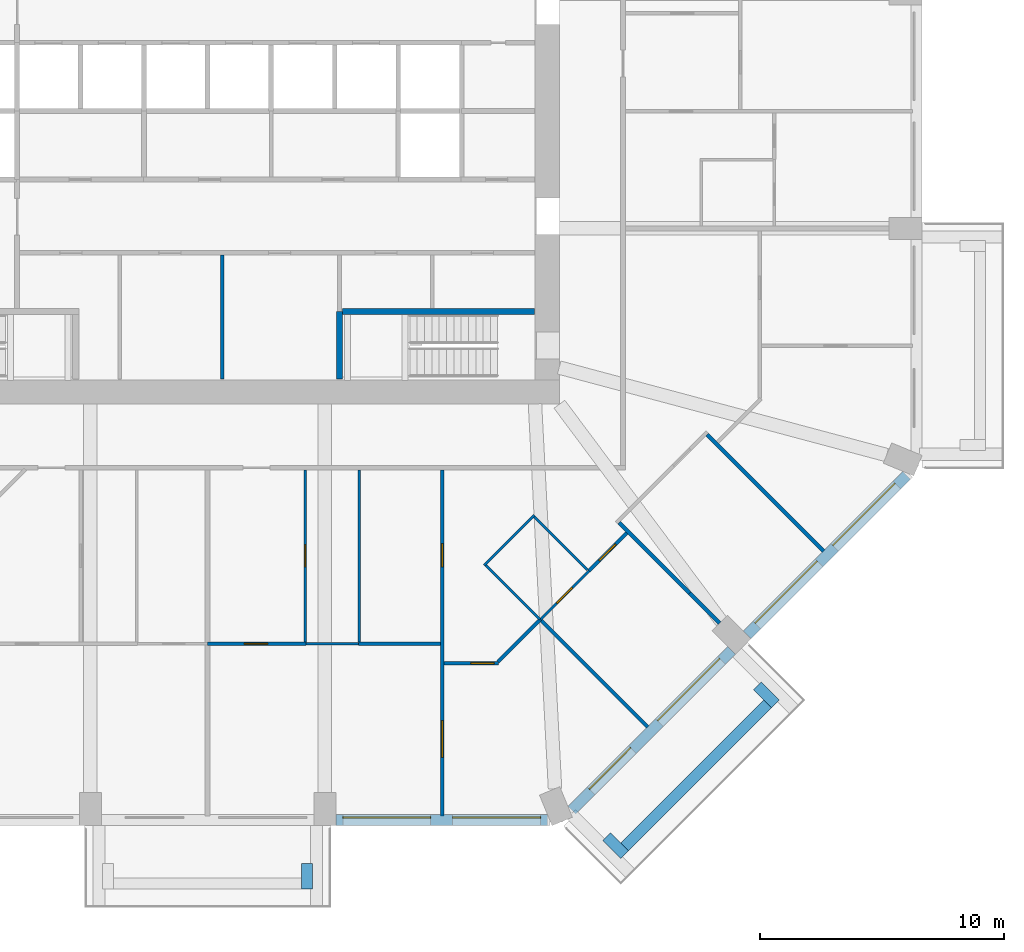
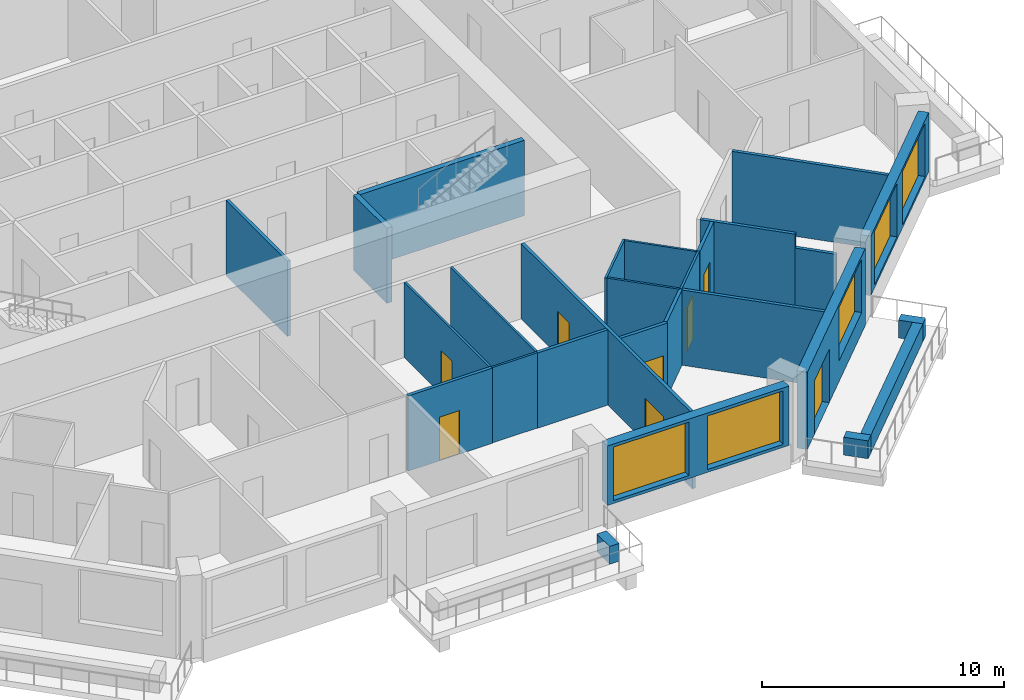
# One storey, part 5 of 13: 27 walls, 8 doors, 5 windows, 13 openings.
"""IFC4 building model written with IfcOpenShell, lengths in metres."""

import ifcopenshell
import ifcopenshell.guid

model = None  # the IFC model being written
_history = None  # IfcOwnerHistory: only IFC2X3 demands one
_inside = {}  # id of a spatial element -> (the spatial element, [elements in it])
_under = {}  # id of a project, library or spatial element -> (it, [spatial elements below it])
_declared = {}  # id of a project -> (the project, [libraries it declares])
_typed = {}  # id of a type object -> (the type object, [elements of that type])
_made_of = {}  # id of a material, layer set ... -> (it, [elements and type objects made of it])


def new_model(schema):
    """Start an empty IFC model of exactly this schema.

    Asked for "IFC4X3", IfcOpenShell would pick the latest addendum, in which some entities
    have other attributes; the version numbers below select the first issue.
    IFC2X3 requires an IfcOwnerHistory on every rooted entity: one is made here for all.
    """
    global model, _history
    if schema == "IFC4X3":
        model = ifcopenshell.file(schema_version=(4, 3, 0, 0))
    else:
        model = ifcopenshell.file(schema=schema)
    _inside.clear()
    _under.clear()
    _declared.clear()
    _typed.clear()
    _made_of.clear()
    _history = None
    if model.schema == "IFC2X3":
        org = make("IfcOrganization", Name="unknown")
        user = make(
            "IfcPersonAndOrganization",
            ThePerson=make("IfcPerson", FamilyName="unknown"),
            TheOrganization=org,
        )
        app = make(
            "IfcApplication",
            ApplicationDeveloper=org,
            Version="unknown",
            ApplicationFullName="unknown",
            ApplicationIdentifier="unknown",
        )
        _history = make(
            "IfcOwnerHistory",
            OwningUser=user,
            OwningApplication=app,
            ChangeAction="ADDED",
            CreationDate=0,
        )
    return model


def make(cls, **values):
    """One entity of the class cls with the attributes given. An attribute that is None is left unset."""
    return model.create_entity(
        cls, **{name: value for name, value in values.items() if value is not None}
    )


def rooted(cls, **values):
    """An entity with a GlobalId (a new one), such as an element, a storey or a relation."""
    return make(cls, GlobalId=ifcopenshell.guid.new(), OwnerHistory=_history, **values)


def si_unit(unit_type, name, prefix=None):
    """IfcSIUnit, for example si_unit("LENGTHUNIT", "METRE", prefix="MILLI")."""
    return make("IfcSIUnit", UnitType=unit_type, Prefix=prefix, Name=name)


def assignment(units):
    """IfcUnitAssignment: the units of a project."""
    return None if units is None else make("IfcUnitAssignment", Units=units)


def point(xyz):
    """IfcCartesianPoint."""
    return None if xyz is None else make("IfcCartesianPoint", Coordinates=xyz)


def direction(xyz):
    """IfcDirection."""
    return None if xyz is None else make("IfcDirection", DirectionRatios=xyz)


def frame(location, z_axis=None, x_axis=None):
    """IfcAxis2Placement3D, a coordinate frame: its origin and axes. An axis left out is left unset."""
    return make(
        "IfcAxis2Placement3D",
        Location=point(location),
        Axis=direction(z_axis),
        RefDirection=direction(x_axis),
    )


def frame_2d(location, x_axis=None):
    """IfcAxis2Placement2D, a coordinate frame in the plane: its origin and x axis."""
    return make(
        "IfcAxis2Placement2D", Location=point(location), RefDirection=direction(x_axis)
    )


def origin():
    """The frame at (0, 0, 0) with its axes left unset."""
    return frame((0.0, 0.0, 0.0))


def place(relative_to, where):
    """IfcLocalPlacement: puts the frame where relative to a parent placement (None: the world)."""
    return make(
        "IfcLocalPlacement", PlacementRelTo=relative_to, RelativePlacement=where
    )


def context(
    kind, dimensions, precision=None, world=None, true_north=None, identifier=None
):
    """IfcGeometricRepresentationContext, for example the 3D "Model" context."""
    return make(
        "IfcGeometricRepresentationContext",
        ContextIdentifier=identifier,
        ContextType=kind,
        CoordinateSpaceDimension=dimensions,
        Precision=precision,
        WorldCoordinateSystem=world,
        TrueNorth=true_north,
    )


def subcontext(parent, identifier, kind, view, scale=None):
    """IfcGeometricRepresentationSubContext, for example "Body" below "Model"."""
    return make(
        "IfcGeometricRepresentationSubContext",
        ContextIdentifier=identifier,
        ContextType=kind,
        ParentContext=parent,
        TargetScale=scale,
        TargetView=view,
    )


def project(units=None, contexts=None):
    """IfcProject with its units and contexts."""
    return rooted(
        "IfcProject",
        Name="project",
        RepresentationContexts=contexts,
        UnitsInContext=assignment(units),
    )


def spatial(cls, under=None, at=None, **own):
    """A site, building, storey or space (cls), placed at a placement, below another one or the project."""
    s = rooted(cls, ObjectPlacement=at, **own)
    if under is not None:
        _under.setdefault(under.id(), (under, []))[1].append(s)
    return s


def profile(cls, at=None, kind="AREA", **sizes):
    """A parametric profile (cls). Its sizes go by their IFC names, for example OverallWidth=200.0."""
    return make(cls, ProfileType=kind, Position=at, **sizes)


def rectangle(**sizes):
    """IfcRectangleProfileDef."""
    return profile("IfcRectangleProfileDef", **sizes)


def extrude(swept, where, along, depth):
    """IfcExtrudedAreaSolid: the profile swept, set in the frame where, extruded along a direction by depth."""
    return make(
        "IfcExtrudedAreaSolid",
        SweptArea=swept,
        Position=where,
        ExtrudedDirection=direction(along),
        Depth=depth,
    )


def shape(context_of_items, identifier, shape_type, items):
    """IfcShapeRepresentation: the items that make up one representation, for example the "Body"."""
    return make(
        "IfcShapeRepresentation",
        ContextOfItems=context_of_items,
        RepresentationIdentifier=identifier,
        RepresentationType=shape_type,
        Items=items,
    )


def material(Name=None, Category=None):
    """IfcMaterial."""
    return make("IfcMaterial", Name=Name, Category=Category)


def layer(
    of_material, thickness, ventilated=None, Name=None, Category=None, Priority=None
):
    """IfcMaterialLayer: one layer of a wall or slab, of a material (None: an air gap)."""
    return make(
        "IfcMaterialLayer",
        Material=of_material,
        LayerThickness=thickness,
        IsVentilated=ventilated,
        Name=Name,
        Category=Category,
        Priority=Priority,
    )


def layer_set(layers, Name=None):
    """IfcMaterialLayerSet."""
    return make("IfcMaterialLayerSet", MaterialLayers=layers, LayerSetName=Name)


def made_of(thing, what):
    """Note that an element or type object is made of a material, layer set ...; save() writes the relation."""
    if what is not None:
        _made_of.setdefault(what.id(), (what, []))[1].append(thing)
    return thing


def type_object(cls, material=None, **own):
    """A type object (cls), such as IfcWallType, which elements share."""
    return made_of(rooted(cls, **own), material)


def element(
    cls,
    number,
    at=None,
    inside=None,
    cuts=None,
    type_object=None,
    material=None,
    context=None,
    identifier="Body",
    shape_type=None,
    held_by="IfcProductDefinitionShape",
    body=None,
    shapes=None,
    **own,
):
    """One element of the class cls, such as IfcWall. Its Tag is "e" and its number.

    at: its placement. inside: the storey or other place that contains it. cuts: it is an
    opening in that element (IfcRelVoidsElement). A single representation is given by context,
    identifier, shape_type and body (its items); several are given by shapes. held_by: the class
    of the entity that holds the representations. save() writes the other relations.
    """
    e = rooted(cls, Tag="e%d" % number, ObjectPlacement=at, **own)
    if body is not None:
        shapes = [shape(context, identifier, shape_type, body)]
    if shapes is not None:
        e.Representation = make(held_by, Representations=shapes)
    if inside is not None:
        _inside.setdefault(inside.id(), (inside, []))[1].append(e)
    if cuts is not None:
        rooted(
            "IfcRelVoidsElement", RelatingBuildingElement=cuts, RelatedOpeningElement=e
        )
    if type_object is not None:
        _typed.setdefault(type_object.id(), (type_object, []))[1].append(e)
    return made_of(e, material)


def fill(opening, filler):
    """IfcRelFillsElement: the door or window that sits in an opening."""
    return rooted(
        "IfcRelFillsElement",
        RelatingOpeningElement=opening,
        RelatedBuildingElement=filler,
    )


def aggregate(whole, parts):
    """IfcRelAggregates: a whole, such as a stair, and the parts it consists of."""
    return rooted("IfcRelAggregates", RelatingObject=whole, RelatedObjects=parts)


def save(model, path):
    """Write the relations noted so far, then the file.

    IfcRelAggregates (storeys below a building ...), IfcRelContainedInSpatialStructure (elements
    in a storey), IfcRelDefinesByType, IfcRelAssociatesMaterial and IfcRelDeclares: one each for
    every whole, place, type object, material and project.
    """
    for whole, parts in _under.values():
        aggregate(whole, parts)
    for where, things in _inside.values():
        rooted(
            "IfcRelContainedInSpatialStructure",
            RelatedElements=things,
            RelatingStructure=where,
        )
    for kind, things in _typed.values():
        rooted("IfcRelDefinesByType", RelatedObjects=things, RelatingType=kind)
    for what, things in _made_of.values():
        rooted("IfcRelAssociatesMaterial", RelatedObjects=things, RelatingMaterial=what)
    for by, libraries in _declared.values():
        rooted("IfcRelDeclares", RelatingContext=by, RelatedDefinitions=libraries)
    model.write(path)


model = new_model("IFC4")

# Units and contexts
model_context = context("Model", 3, precision=1e-05, world=origin(), true_north=direction((0.0, 1.0)))
body_context = subcontext(model_context, "Body", "Model", "MODEL_VIEW")
ifc_project = project(units=[si_unit("LENGTHUNIT", "METRE"), si_unit("AREAUNIT", "SQUARE_METRE"), si_unit("VOLUMEUNIT", "CUBIC_METRE"), si_unit("PLANEANGLEUNIT", "RADIAN"), si_unit("MASSUNIT", "GRAM", prefix="KILO")], contexts=[model_context])

# Site, building, storey
site_placement = place(None, origin())
site = spatial("IfcSite", under=ifc_project, at=site_placement, CompositionType="ELEMENT")
building_placement = place(site_placement, origin())
building = spatial("IfcBuilding", under=site, at=building_placement, Name="Msitu Wima Residences", CompositionType="ELEMENT")
storey_placement = place(building_placement, frame((0.0, 0.0, 96.89990234375)))
storey = spatial("IfcBuildingStorey", under=building, at=storey_placement, Name="L22", CompositionType="ELEMENT", Elevation=96.89990234375)

# Walls
ifc_material_1 = material(Name="Facing brick")
ifc_layer_1 = layer(ifc_material_1, 0.06494140625, Name="Facing brick")
ifc_material_2 = material(Name="Concrete C40/50", Category="concrete")
ifc_layer_2 = layer(ifc_material_2, 0.156005859375, Name="Concrete C40/50")
ifc_material_3 = material(Name="Waterproofing membrane")
ifc_layer_3 = layer(ifc_material_3, 0.00390625, Name="Waterproofing membrane")
ifc_material_4 = material(Name="Planting soil and planting")
ifc_layer_4 = layer(ifc_material_4, 0.22509765625, Name="Planting soil and planting")
ifc_layer_set_1 = layer_set([ifc_layer_1, ifc_layer_2, ifc_layer_3, ifc_layer_4], Name="Concrete C40/50")
wall_type_1 = type_object("IfcWallType", Name="Balcony planter PLANTER PL450", PredefinedType="USERDEFINED", material=ifc_layer_set_1)
wall_1_placement = place(storey_placement, frame((4.074951171875, -30.800048828125, 0.0), z_axis=(0.0, 0.0, 1.0), x_axis=(0.0, -1.0, 0.0)))
element("IfcWall", 1, at=wall_1_placement, inside=storey, type_object=wall_type_1, Name="Balcony planter S1 L22", ObjectType="PLANTER", PredefinedType="USERDEFINED", context=body_context, shape_type="SweptSolid", body=[
    extrude(rectangle(XDim=1.050048828125, YDim=0.449951171875, at=frame_2d((0.52490234375, 0.0))), origin(), (0.0, 0.0, 1.0), 0.900146484375),
])
wall_2_placement = place(storey_placement, frame((17.0693359375, -30.125732421875, 0.0), z_axis=(0.0, 0.0, 1.0), x_axis=(0.707106781187, 0.707106781187, 0.0)))
element("IfcWall", 2, at=wall_2_placement, inside=storey, type_object=wall_type_1, Name="Balcony planter SE0 L22", ObjectType="PLANTER", PredefinedType="USERDEFINED", context=body_context, shape_type="SweptSolid", body=[
    extrude(rectangle(XDim=8.2822265625, YDim=0.449951171875, at=frame_2d((4.14111328125, 0.0))), origin(), (0.0, 0.0, 1.0), 0.900146484375),
])
for number, where, z_axis, x_axis, name in (
    (3, (16.326904296875, -29.70166015625, 0.0), (0.0, 0.0, 1.0), (0.707106781187, -0.707106781187, 0.0), "Balcony planter SE0 L22"),
    (4, (22.50146484375, -23.52685546875, 0.0), (0.0, 0.0, 1.0), (0.707223014731, -0.706990528533, 0.0), "Balcony planter SE0 L22"),
):
    element("IfcWall", number, at=place(storey_placement, frame(where, z_axis=z_axis, x_axis=x_axis)), inside=storey, type_object=wall_type_1, Name=name, ObjectType="PLANTER", PredefinedType="USERDEFINED", context=body_context, shape_type="SweptSolid", body=[
        extrude(rectangle(XDim=1.050048828125, YDim=0.449951171875, at=frame_2d((0.52490234375, 0.0))), origin(), (0.0, 0.0, 1.0), 0.900146484375),
    ])

# Wall, openings, windows
ifc_material_5 = material(Name="Brick (red buff mix)", Category="masonry")
ifc_layer_5 = layer(ifc_material_5, 0.449951171875)
ifc_layer_set_2 = layer_set([ifc_layer_5], Name="Brick (red buff mix)")
wall_type_2 = type_object("IfcWallType", Name="Brick infill wall BW450", PredefinedType="SOLIDWALL", material=ifc_layer_set_2)
wall_3_placement = place(storey_placement, frame((5.25, -29.02490234375, 0.900146484375), z_axis=(0.0, 0.0, 1.0), x_axis=(1.0, 0.0, 0.0)))
wall_3 = element("IfcWall", 5, at=wall_3_placement, inside=storey, type_object=wall_type_2, Name="Brick infill wall L22 S2", PredefinedType="SOLIDWALL", context=body_context, shape_type="SweptSolid", body=[
    extrude(rectangle(XDim=8.662841796875, YDim=0.449951171875, at=frame_2d((4.33154296875, 0.0))), origin(), (0.0, 0.0, 1.0), 3.0),
])
opening_1_placement = place(wall_3_placement, frame((0.281494140625, 0.0, 0.14990234375)))
opening_1 = element("IfcOpeningElement", 6, at=opening_1_placement, cuts=wall_3, Name="Opening W22.019", PredefinedType="OPENING", context=body_context, shape_type="SweptSolid", body=[
    extrude(rectangle(XDim=3.60009765625, YDim=2.699951171875, at=frame_2d((1.800048828125, 1.35009765625))), frame((0.0, 0.23486328125, 0.0), z_axis=(0.0, -1.0, 0.0), x_axis=(1.0, 0.0, 0.0)), (0.0, 0.0, 1.0), 0.469970703125),
])
opening_2_placement = place(wall_3_placement, frame((4.781494140625, 0.0, 0.14990234375)))
opening_2 = element("IfcOpeningElement", 7, at=opening_2_placement, cuts=wall_3, Name="Opening W22.020", PredefinedType="OPENING", context=body_context, shape_type="SweptSolid", body=[
    extrude(rectangle(XDim=3.60009765625, YDim=2.699951171875, at=frame_2d((1.800048828125, 1.35009765625))), frame((0.0, 0.23486328125, 0.0), z_axis=(0.0, -1.0, 0.0), x_axis=(1.0, 0.0, 0.0)), (0.0, 0.0, 1.0), 0.469970703125),
])
ifc_material_6 = material(Name="Anodised aluminium, bronze finish, clear low-emissivity double glazing", Category="aluminium")
window_type = type_object("IfcWindowType", Name="Window W3600x2700", PartitioningType="DOUBLE_PANEL_VERTICAL", PredefinedType="WINDOW", material=ifc_material_6)
window_1_placement = place(opening_1_placement, origin())
window_1 = element("IfcWindow", 8, at=window_1_placement, inside=storey, type_object=window_type, Name="Window L22 S2.1", OverallHeight=2.699951171875, OverallWidth=3.60009765625, PartitioningType="SINGLE_PANEL", PredefinedType="WINDOW", context=body_context, shape_type="SweptSolid", body=[
    extrude(rectangle(XDim=3.60009765625, YDim=2.699951171875, at=frame_2d((1.800048828125, 1.35009765625))), frame((0.0, 0.135009765625, 0.0), z_axis=(0.0, -1.0, 0.0), x_axis=(1.0, 0.0, 0.0)), (0.0, 0.0, 1.0), 0.06005859375),
])
fill(opening_1, window_1)
window_2_placement = place(opening_2_placement, origin())
window_2 = element("IfcWindow", 9, at=window_2_placement, inside=storey, type_object=window_type, Name="Window L22 S2.2", OverallHeight=2.699951171875, OverallWidth=3.60009765625, PartitioningType="SINGLE_PANEL", PredefinedType="WINDOW", context=body_context, shape_type="SweptSolid", body=[
    extrude(rectangle(XDim=3.60009765625, YDim=2.699951171875, at=frame_2d((1.800048828125, 1.35009765625))), frame((0.0, 0.135009765625, 0.0), z_axis=(0.0, -1.0, 0.0), x_axis=(1.0, 0.0, 0.0)), (0.0, 0.0, 1.0), 0.06005859375),
])
fill(opening_2, window_2)

# Wall, openings, door, window
wall_4_placement = place(storey_placement, frame((14.903564453125, -28.61474609375, 0.0), z_axis=(0.0, 0.0, 1.0), x_axis=(0.707106781187, 0.707106781187, 0.0)))
wall_4 = element("IfcWall", 10, at=wall_4_placement, inside=storey, type_object=wall_type_2, Name="Brick infill wall L22 SE0", PredefinedType="SOLIDWALL", context=body_context, shape_type="SweptSolid", body=[
    extrude(rectangle(XDim=9.2451171875, YDim=0.449951171875, at=frame_2d((4.62255859375, 0.0))), origin(), (0.0, 0.0, 1.0), 3.900146484375),
])
opening_3_placement = place(wall_4_placement, frame((1.111328125, 0.0, 0.0)))
opening_3 = element("IfcOpeningElement", 11, at=opening_3_placement, cuts=wall_4, Name="Opening D22.007", PredefinedType="OPENING", context=body_context, shape_type="SweptSolid", body=[
    extrude(rectangle(XDim=2.39990234375, YDim=2.699951171875, at=frame_2d((1.199951171875, 1.35009765625))), frame((0.0, 0.23486328125, 0.0), z_axis=(0.0, -1.0, 0.0), x_axis=(1.0, 0.0, 0.0)), (0.0, 0.0, 1.0), 0.469970703125),
])
opening_4_placement = place(wall_4_placement, frame((5.072509765625, 0.0, 1.050048828125)))
opening_4 = element("IfcOpeningElement", 12, at=opening_4_placement, cuts=wall_4, Name="Opening W22.021", PredefinedType="OPENING", context=body_context, shape_type="SweptSolid", body=[
    extrude(rectangle(XDim=3.60009765625, YDim=2.699951171875, at=frame_2d((1.800048828125, 1.35009765625))), frame((0.0, 0.23486328125, 0.0), z_axis=(0.0, -1.0, 0.0), x_axis=(1.0, 0.0, 0.0)), (0.0, 0.0, 1.0), 0.469970703125),
])
door_type_1 = type_object("IfcDoorType", Name="Balcony door D2400x2700", OperationType="SLIDING_TO_LEFT", PredefinedType="DOOR", material=ifc_material_6)
door_1_placement = place(opening_3_placement, origin())
door_1 = element("IfcDoor", 13, at=door_1_placement, inside=storey, type_object=door_type_1, Name="Balcony door L22 SE0", OperationType="SINGLE_SWING_LEFT", OverallHeight=2.699951171875, OverallWidth=2.39990234375, PredefinedType="DOOR", context=body_context, shape_type="SweptSolid", body=[
    extrude(rectangle(XDim=2.39990234375, YDim=2.699951171875, at=frame_2d((1.199951171875, 1.35009765625))), frame((0.0, 0.1298828125, 0.0), z_axis=(0.0, -1.0, 0.0), x_axis=(1.0, 0.0, 0.0)), (0.0, 0.0, 1.0), 0.050048828125),
])
fill(opening_3, door_1)
window_3_placement = place(opening_4_placement, origin())
window_3 = element("IfcWindow", 14, at=window_3_placement, inside=storey, type_object=window_type, Name="Window L22 SE0.2", OverallHeight=2.699951171875, OverallWidth=3.60009765625, PartitioningType="SINGLE_PANEL", PredefinedType="WINDOW", context=body_context, shape_type="SweptSolid", body=[
    extrude(rectangle(XDim=3.60009765625, YDim=2.699951171875, at=frame_2d((1.800048828125, 1.35009765625))), frame((0.0, 0.135009765625, 0.0), z_axis=(0.0, -1.0, 0.0), x_axis=(1.0, 0.0, 0.0)), (0.0, 0.0, 1.0), 0.06005859375),
])
fill(opening_4, window_3)

# Wall, openings, windows
wall_5_placement = place(storey_placement, frame((22.077392578125, -21.44091796875, 0.900146484375), z_axis=(0.0, 0.0, 1.0), x_axis=(0.707106781187, 0.707106781187, 0.0)))
wall_5 = element("IfcWall", 15, at=wall_5_placement, inside=storey, type_object=wall_type_2, Name="Brick infill wall L22 SE1", PredefinedType="SOLIDWALL", context=body_context, shape_type="SweptSolid", body=[
    extrude(rectangle(XDim=9.2451171875, YDim=0.449951171875, at=frame_2d((4.62255859375, 0.0))), origin(), (0.0, 0.0, 1.0), 3.0),
])
opening_5_placement = place(wall_5_placement, frame((0.572509765625, 0.0, 0.14990234375)))
opening_5 = element("IfcOpeningElement", 16, at=opening_5_placement, cuts=wall_5, Name="Opening W22.022", PredefinedType="OPENING", context=body_context, shape_type="SweptSolid", body=[
    extrude(rectangle(XDim=3.60009765625, YDim=2.699951171875, at=frame_2d((1.800048828125, 1.35009765625))), frame((0.0, 0.23486328125, 0.0), z_axis=(0.0, -1.0, 0.0), x_axis=(1.0, 0.0, 0.0)), (0.0, 0.0, 1.0), 0.469970703125),
])
opening_6_placement = place(wall_5_placement, frame((5.072509765625, 0.0, 0.14990234375)))
opening_6 = element("IfcOpeningElement", 17, at=opening_6_placement, cuts=wall_5, Name="Opening W22.023", PredefinedType="OPENING", context=body_context, shape_type="SweptSolid", body=[
    extrude(rectangle(XDim=3.60009765625, YDim=2.699951171875, at=frame_2d((1.800048828125, 1.35009765625))), frame((0.0, 0.23486328125, 0.0), z_axis=(0.0, -1.0, 0.0), x_axis=(1.0, 0.0, 0.0)), (0.0, 0.0, 1.0), 0.469970703125),
])
window_4_placement = place(opening_5_placement, origin())
window_4 = element("IfcWindow", 18, at=window_4_placement, inside=storey, type_object=window_type, Name="Window L22 SE1.1", OverallHeight=2.699951171875, OverallWidth=3.60009765625, PartitioningType="SINGLE_PANEL", PredefinedType="WINDOW", context=body_context, shape_type="SweptSolid", body=[
    extrude(rectangle(XDim=3.60009765625, YDim=2.699951171875, at=frame_2d((1.800048828125, 1.35009765625))), frame((0.0, 0.135009765625, 0.0), z_axis=(0.0, -1.0, 0.0), x_axis=(1.0, 0.0, 0.0)), (0.0, 0.0, 1.0), 0.06005859375),
])
fill(opening_5, window_4)
window_5_placement = place(opening_6_placement, origin())
window_5 = element("IfcWindow", 19, at=window_5_placement, inside=storey, type_object=window_type, Name="Window L22 SE1.2", OverallHeight=2.699951171875, OverallWidth=3.60009765625, PartitioningType="SINGLE_PANEL", PredefinedType="WINDOW", context=body_context, shape_type="SweptSolid", body=[
    extrude(rectangle(XDim=3.60009765625, YDim=2.699951171875, at=frame_2d((1.800048828125, 1.35009765625))), frame((0.0, 0.135009765625, 0.0), z_axis=(0.0, -1.0, 0.0), x_axis=(1.0, 0.0, 0.0)), (0.0, 0.0, 1.0), 0.06005859375),
])
fill(opening_6, window_5)

# Wall, opening, door
ifc_material_7 = material(Name="Plaster")
ifc_layer_6 = layer(ifc_material_7, 0.011962890625, Name="Plaster")
ifc_material_8 = material(Name="Concrete blockwork", Category="masonry")
ifc_layer_7 = layer(ifc_material_8, 0.1259765625, Name="Concrete blockwork")
ifc_layer_8 = layer(ifc_material_7, 0.011962890625, Name="Plaster")
ifc_layer_set_3 = layer_set([ifc_layer_6, ifc_layer_7, ifc_layer_8], Name="Concrete blockwork")
wall_type_3 = type_object("IfcWallType", Name="Partition PW150", PredefinedType="PARTITIONING", material=ifc_layer_set_3)
wall_6_placement = place(storey_placement, frame((0.0, -21.800048828125, 0.0), z_axis=(0.0, 0.0, 1.0), x_axis=(1.0, 0.0, 0.0)))
wall_6 = element("IfcWall", 20, at=wall_6_placement, inside=storey, type_object=wall_type_3, Name="Partition", PredefinedType="PARTITIONING", context=body_context, shape_type="SweptSolid", body=[
    extrude(rectangle(XDim=4.02001953125, YDim=0.14990234375, at=frame_2d((2.010009765625, 0.0))), origin(), (0.0, 0.0, 1.0), 3.798095703125),
])
opening_7_placement = place(wall_6_placement, frame((1.5, 0.0, 0.0)))
opening_7 = element("IfcOpeningElement", 21, at=opening_7_placement, cuts=wall_6, Name="Opening D22.075", PredefinedType="OPENING", context=body_context, shape_type="SweptSolid", body=[
    extrude(rectangle(XDim=0.949951171875, YDim=2.199951171875, at=frame_2d((0.47509765625, 1.10009765625))), frame((0.0, 0.0849609375, 0.0), z_axis=(0.0, -1.0, 0.0), x_axis=(1.0, 0.0, 0.0)), (0.0, 0.0, 1.0), 0.169921875),
])
ifc_material_9 = material(Name="Timber flush door", Category="wood")
door_type_2 = type_object("IfcDoorType", Name="Room door D12 950x2200", OperationType="SINGLE_SWING_LEFT", PredefinedType="DOOR", material=ifc_material_9)
door_2_placement = place(opening_7_placement, origin())
door_2 = element("IfcDoor", 22, at=door_2_placement, inside=storey, type_object=door_type_2, Name="Room door", OperationType="SINGLE_SWING_RIGHT", OverallHeight=2.199951171875, OverallWidth=0.949951171875, PredefinedType="DOOR", context=body_context, shape_type="SweptSolid", body=[
    extrude(rectangle(XDim=0.949951171875, YDim=2.199951171875, at=frame_2d((0.47509765625, 1.10009765625))), frame((0.0, 0.02490234375, 0.0), z_axis=(0.0, -1.0, 0.0), x_axis=(1.0, 0.0, 0.0)), (0.0, 0.0, 1.0), 0.050048828125),
])
fill(opening_7, door_2)

# Walls
wall_7_placement = place(storey_placement, frame((0.60009765625, -10.969970703125, 0.0), z_axis=(0.0, 0.0, 1.0), x_axis=(0.0, 1.0, 0.0)))
element("IfcWall", 23, at=wall_7_placement, inside=storey, type_object=wall_type_3, Name="Partition", PredefinedType="PARTITIONING", context=body_context, shape_type="SweptSolid", body=[
    extrude(rectangle(XDim=5.070068359375, YDim=0.14990234375, at=frame_2d((2.53515625, 0.0))), origin(), (0.0, 0.0, 1.0), 3.798095703125),
])
wall_8_placement = place(storey_placement, frame((6.179931640625, -21.800048828125, 0.0), z_axis=(0.0, 0.0, 1.0), x_axis=(1.0, 0.0, 0.0)))
element("IfcWall", 24, at=wall_8_placement, inside=storey, type_object=wall_type_3, Name="Partition", PredefinedType="PARTITIONING", context=body_context, shape_type="SweptSolid", body=[
    extrude(rectangle(XDim=3.344970703125, YDim=0.14990234375, at=frame_2d((1.67236328125, 0.0))), origin(), (0.0, 0.0, 1.0), 3.798095703125),
])

# Wall, openings, doors
wall_9_placement = place(storey_placement, frame((9.60009765625, -28.85498046875, 0.0), z_axis=(0.0, 0.0, 1.0), x_axis=(0.0, 1.0, 0.0)))
wall_9 = element("IfcWall", 25, at=wall_9_placement, inside=storey, type_object=wall_type_3, Name="Partition", PredefinedType="PARTITIONING", context=body_context, shape_type="SweptSolid", body=[
    extrude(rectangle(XDim=14.155029296875, YDim=0.14990234375, at=frame_2d((7.07763671875, 0.0))), origin(), (0.0, 0.0, 1.0), 3.798095703125),
])
opening_8_placement = place(wall_9_placement, frame((2.39990234375, 0.0, 0.0)))
opening_8 = element("IfcOpeningElement", 26, at=opening_8_placement, cuts=wall_9, Name="Opening D22.076", PredefinedType="OPENING", context=body_context, shape_type="SweptSolid", body=[
    extrude(rectangle(XDim=1.5, YDim=2.199951171875, at=frame_2d((0.75, 1.10009765625))), frame((0.0, 0.0849609375, 0.0), z_axis=(0.0, -1.0, 0.0), x_axis=(1.0, 0.0, 0.0)), (0.0, 0.0, 1.0), 0.169921875),
])
opening_9_placement = place(wall_9_placement, frame((10.199951171875, 0.0, 0.0)))
opening_9 = element("IfcOpeningElement", 27, at=opening_9_placement, cuts=wall_9, Name="Opening D22.085", PredefinedType="OPENING", context=body_context, shape_type="SweptSolid", body=[
    extrude(rectangle(XDim=0.949951171875, YDim=2.199951171875, at=frame_2d((0.47509765625, 1.10009765625))), frame((0.0, 0.0849609375, 0.0), z_axis=(0.0, -1.0, 0.0), x_axis=(1.0, 0.0, 0.0)), (0.0, 0.0, 1.0), 0.169921875),
])
ifc_material_10 = material(Name="Timber double door", Category="wood")
door_type_3 = type_object("IfcDoorType", Name="Double door D04 1500x2200", OperationType="DOUBLE_DOOR_SINGLE_SWING", PredefinedType="DOOR", material=ifc_material_10)
door_3_placement = place(opening_8_placement, origin())
door_3 = element("IfcDoor", 28, at=door_3_placement, inside=storey, type_object=door_type_3, Name="Double door", OperationType="DOUBLE_DOOR_SINGLE_SWING", OverallHeight=2.199951171875, OverallWidth=1.5, PredefinedType="DOOR", context=body_context, shape_type="SweptSolid", body=[
    extrude(rectangle(XDim=1.5, YDim=2.199951171875, at=frame_2d((0.75, 1.10009765625))), frame((0.0, 0.02490234375, 0.0), z_axis=(0.0, -1.0, 0.0), x_axis=(1.0, 0.0, 0.0)), (0.0, 0.0, 1.0), 0.050048828125),
])
fill(opening_8, door_3)
door_4_placement = place(opening_9_placement, origin())
door_4 = element("IfcDoor", 29, at=door_4_placement, inside=storey, type_object=door_type_2, Name="Room door", OperationType="SINGLE_SWING_RIGHT", OverallHeight=2.199951171875, OverallWidth=0.949951171875, PredefinedType="DOOR", context=body_context, shape_type="SweptSolid", body=[
    extrude(rectangle(XDim=0.949951171875, YDim=2.199951171875, at=frame_2d((0.47509765625, 1.10009765625))), frame((0.0, 0.02490234375, 0.0), z_axis=(0.0, -1.0, 0.0), x_axis=(1.0, 0.0, 0.0)), (0.0, 0.0, 1.0), 0.050048828125),
])
fill(opening_9, door_4)

# Wall, opening, door
wall_10_placement = place(storey_placement, frame((9.675048828125, -22.60009765625, 0.0), z_axis=(0.0, 0.0, 1.0), x_axis=(1.0, 0.0, 0.0)))
wall_10 = element("IfcWall", 30, at=wall_10_placement, inside=storey, type_object=wall_type_3, Name="Partition", PredefinedType="PARTITIONING", context=body_context, shape_type="SweptSolid", body=[
    extrude(rectangle(XDim=2.23193359375, YDim=0.14990234375, at=frame_2d((1.115966796875, 0.0))), origin(), (0.0, 0.0, 1.0), 3.798095703125),
])
opening_10_placement = place(wall_10_placement, frame((1.10009765625, 0.0, 0.0)))
opening_10 = element("IfcOpeningElement", 31, at=opening_10_placement, cuts=wall_10, Name="Opening D22.078", PredefinedType="OPENING", context=body_context, shape_type="SweptSolid", body=[
    extrude(rectangle(XDim=0.949951171875, YDim=2.199951171875, at=frame_2d((0.47509765625, 1.10009765625))), frame((0.0, 0.0849609375, 0.0), z_axis=(0.0, -1.0, 0.0), x_axis=(1.0, 0.0, 0.0)), (0.0, 0.0, 1.0), 0.169921875),
])
door_5_placement = place(opening_10_placement, origin())
door_5 = element("IfcDoor", 32, at=door_5_placement, inside=storey, type_object=door_type_2, Name="Room door", OperationType="SINGLE_SWING_RIGHT", OverallHeight=2.199951171875, OverallWidth=0.949951171875, PredefinedType="DOOR", context=body_context, shape_type="SweptSolid", body=[
    extrude(rectangle(XDim=0.949951171875, YDim=2.199951171875, at=frame_2d((0.47509765625, 1.10009765625))), frame((0.0, 0.02490234375, 0.0), z_axis=(0.0, -1.0, 0.0), x_axis=(1.0, 0.0, 0.0)), (0.0, 0.0, 1.0), 0.050048828125),
])
fill(opening_10, door_5)

# Walls
wall_11_placement = place(storey_placement, frame((11.885009765625, -22.546875, 0.0), z_axis=(0.0, 0.0, 1.0), x_axis=(0.707106781187, 0.707106781187, 0.0)))
element("IfcWall", 33, at=wall_11_placement, inside=storey, type_object=wall_type_3, Name="Partition", PredefinedType="PARTITIONING", context=body_context, shape_type="SweptSolid", body=[
    extrude(rectangle(XDim=2.447998046875, YDim=0.14990234375, at=frame_2d((1.22412109375, 0.0))), origin(), (0.0, 0.0, 1.0), 3.798095703125),
])
wall_12_placement = place(storey_placement, frame((13.601806640625, -20.8017578125, 0.0), z_axis=(0.0, 0.0, 1.0), x_axis=(0.707087234081, -0.707126327752, 0.0)))
element("IfcWall", 34, at=wall_12_placement, inside=storey, type_object=wall_type_3, Name="Partition", PredefinedType="PARTITIONING", context=body_context, shape_type="SweptSolid", body=[
    extrude(rectangle(XDim=6.2451171875, YDim=0.14990234375, at=frame_2d((3.12255859375, 0.0))), origin(), (0.0, 0.0, 1.0), 3.798095703125),
])

# Wall, opening, door
wall_13_placement = place(storey_placement, frame((15.60986328125, -18.82177734375, 0.0), z_axis=(0.0, 0.0, 1.0), x_axis=(0.707162364787, 0.707051193216, 0.0)))
wall_13 = element("IfcWall", 35, at=wall_13_placement, inside=storey, type_object=wall_type_3, Name="Partition", PredefinedType="PARTITIONING", context=body_context, shape_type="SweptSolid", body=[
    extrude(rectangle(XDim=2.196044921875, YDim=0.14990234375, at=frame_2d((1.09814453125, 0.0))), origin(), (0.0, 0.0, 1.0), 3.798095703125),
])
opening_11_placement = place(wall_13_placement, frame((0.60009765625, 0.0, 0.0)))
opening_11 = element("IfcOpeningElement", 36, at=opening_11_placement, cuts=wall_13, Name="Opening D22.080", PredefinedType="OPENING", context=body_context, shape_type="SweptSolid", body=[
    extrude(rectangle(XDim=0.949951171875, YDim=2.199951171875, at=frame_2d((0.47509765625, 1.10009765625))), frame((0.0, 0.0849609375, 0.0), z_axis=(0.0, -1.0, 0.0), x_axis=(1.0, 0.0, 0.0)), (0.0, 0.0, 1.0), 0.169921875),
])
door_6_placement = place(opening_11_placement, origin())
door_6 = element("IfcDoor", 37, at=door_6_placement, inside=storey, type_object=door_type_2, Name="Room door", OperationType="SINGLE_SWING_LEFT", OverallHeight=2.199951171875, OverallWidth=0.949951171875, PredefinedType="DOOR", context=body_context, shape_type="SweptSolid", body=[
    extrude(rectangle(XDim=0.949951171875, YDim=2.199951171875, at=frame_2d((0.47509765625, 1.10009765625))), frame((0.0, 0.02490234375, 0.0), z_axis=(0.0, -1.0, 0.0), x_axis=(1.0, 0.0, 0.0)), (0.0, 0.0, 1.0), 0.050048828125),
])
fill(opening_11, door_6)

# Walls
wall_14_placement = place(storey_placement, frame((16.8447265625, -16.8447265625, 0.0), z_axis=(0.0, 0.0, 1.0), x_axis=(0.707106781187, -0.707106781187, 0.0)))
element("IfcWall", 38, at=wall_14_placement, inside=storey, type_object=wall_type_3, Name="Partition", PredefinedType="PARTITIONING", context=body_context, shape_type="SweptSolid", body=[
    extrude(rectangle(XDim=4.07666015625, YDim=0.14990234375, at=frame_2d((2.038330078125, 0.0))), origin(), (0.0, 0.0, 1.0), 3.798095703125),
])
wall_15_placement = place(storey_placement, frame((19.727294921875, -19.727294921875, 0.0), z_axis=(0.0, 0.0, 1.0), x_axis=(0.707106781187, -0.707106781187, 0.0)))
element("IfcWall", 39, at=wall_15_placement, inside=storey, type_object=wall_type_3, Name="Partition", PredefinedType="PARTITIONING", context=body_context, shape_type="SweptSolid", body=[
    extrude(rectangle(XDim=1.74853515625, YDim=0.14990234375, at=frame_2d((0.874267578125, 0.0))), origin(), (0.0, 0.0, 1.0), 3.10009765625),
])
wall_16_placement = place(storey_placement, frame((20.44482421875, -13.24462890625, 0.0), z_axis=(0.0, 0.0, 1.0), x_axis=(0.707106781187, -0.707106781187, 0.0)))
element("IfcWall", 40, at=wall_16_placement, inside=storey, type_object=wall_type_3, Name="Partition", PredefinedType="PARTITIONING", context=body_context, shape_type="SweptSolid", body=[
    extrude(rectangle(XDim=6.75, YDim=0.14990234375, at=frame_2d((3.375, 0.0))), origin(), (0.0, 0.0, 1.0), 3.798095703125),
])
ifc_material_11 = material(Name="Concrete C50/60", Category="concrete")
ifc_layer_9 = layer(ifc_material_11, 0.25)
ifc_layer_set_4 = layer_set([ifc_layer_9], Name="Concrete C50/60")
wall_type_4 = type_object("IfcWallType", Name="Stair enclosure wall SW250", PredefinedType="SHEAR", material=ifc_layer_set_4)
wall_17_placement = place(storey_placement, frame((5.39990234375, -10.969970703125, 0.0), z_axis=(0.0, 0.0, 1.0), x_axis=(0.0, 1.0, 0.0)))
element("IfcWall", 41, at=wall_17_placement, inside=storey, type_object=wall_type_4, Name="Stair enclosure wall", PredefinedType="SHEAR", context=body_context, shape_type="SweptSolid", body=[
    extrude(rectangle(XDim=2.77001953125, YDim=0.25, at=frame_2d((1.385009765625, 0.0))), origin(), (0.0, 0.0, 1.0), 3.798095703125),
])
wall_18_placement = place(storey_placement, frame((5.52490234375, -8.199951171875, 0.0), z_axis=(0.0, 0.0, 1.0), x_axis=(1.0, 0.0, 0.0)))
element("IfcWall", 42, at=wall_18_placement, inside=storey, type_object=wall_type_4, Name="Stair enclosure wall", PredefinedType="SHEAR", context=body_context, shape_type="SweptSolid", body=[
    extrude(rectangle(XDim=7.84521484375, YDim=0.25, at=frame_2d((3.922607421875, 0.0))), origin(), (0.0, 0.0, 1.0), 3.798095703125),
])
ifc_material_12 = material(Name="Ceramic tiles")
ifc_layer_10 = layer(ifc_material_12, 0.008056640625, Name="Ceramic tiles")
ifc_material_13 = material(Name="Moisture-resistant board")
ifc_layer_11 = layer(ifc_material_13, 0.012451171875, Name="Moisture-resistant board")
ifc_material_14 = material(Name="Light-gauge stud framing with mineral wool")
ifc_layer_12 = layer(ifc_material_14, 0.06689453125, Name="Light-gauge stud framing with mineral wool")
ifc_layer_13 = layer(ifc_material_13, 0.012451171875, Name="Moisture-resistant board")
ifc_layer_set_5 = layer_set([ifc_layer_10, ifc_layer_11, ifc_layer_12, ifc_layer_13], Name="Light-gauge stud framing with mineral wool")
wall_type_5 = type_object("IfcWallType", Name="Wet wall PW100", PredefinedType="PARTITIONING", material=ifc_layer_set_5)
wall_19_placement = place(storey_placement, frame((4.02001953125, -21.800048828125, 0.0), z_axis=(0.0, 0.0, 1.0), x_axis=(1.0, 0.0, 0.0)))
element("IfcWall", 43, at=wall_19_placement, inside=storey, type_object=wall_type_5, Name="Wet wall", PredefinedType="PARTITIONING", context=body_context, shape_type="SweptSolid", body=[
    extrude(rectangle(XDim=2.159912109375, YDim=0.10009765625, at=frame_2d((1.080078125, 0.0))), origin(), (0.0, 0.0, 1.0), 3.798095703125),
])

# Wall, opening, door
wall_20_placement = place(storey_placement, frame((4.0, -21.75, 0.0), z_axis=(0.0, 0.0, 1.0), x_axis=(0.0, 1.0, 0.0)))
wall_20 = element("IfcWall", 44, at=wall_20_placement, inside=storey, type_object=wall_type_5, Name="Wet wall", PredefinedType="PARTITIONING", context=body_context, shape_type="SweptSolid", body=[
    extrude(rectangle(XDim=7.050048828125, YDim=0.10009765625, at=frame_2d((3.52490234375, 0.0))), origin(), (0.0, 0.0, 1.0), 3.798095703125),
])
opening_12_placement = place(wall_20_placement, frame((3.10009765625, 0.0, 0.0)))
opening_12 = element("IfcOpeningElement", 45, at=opening_12_placement, cuts=wall_20, Name="Opening D22.077", PredefinedType="OPENING", context=body_context, shape_type="SweptSolid", body=[
    extrude(rectangle(XDim=0.89990234375, YDim=2.199951171875, at=frame_2d((0.449951171875, 1.10009765625))), frame((0.0, 0.06005859375, 0.0), z_axis=(0.0, -1.0, 0.0), x_axis=(1.0, 0.0, 0.0)), (0.0, 0.0, 1.0), 0.1201171875),
])
ifc_material_15 = material(Name="Timber flush door, moisture resistant", Category="wood")
door_type_4 = type_object("IfcDoorType", Name="Bathroom door D03 900x2200", OperationType="SINGLE_SWING_LEFT", PredefinedType="DOOR", material=ifc_material_15)
door_7_placement = place(opening_12_placement, origin())
door_7 = element("IfcDoor", 46, at=door_7_placement, inside=storey, type_object=door_type_4, Name="Bathroom door", OperationType="SINGLE_SWING_LEFT", OverallHeight=2.199951171875, OverallWidth=0.89990234375, PredefinedType="DOOR", context=body_context, shape_type="SweptSolid", body=[
    extrude(rectangle(XDim=0.89990234375, YDim=2.199951171875, at=frame_2d((0.449951171875, 1.10009765625))), frame((0.0, 0.02490234375, 0.0), z_axis=(0.0, -1.0, 0.0), x_axis=(1.0, 0.0, 0.0)), (0.0, 0.0, 1.0), 0.050048828125),
])
fill(opening_12, door_7)

# Walls
wall_21_placement = place(storey_placement, frame((6.199951171875, -21.72509765625, 0.0), z_axis=(0.0, 0.0, 1.0), x_axis=(0.0, 1.0, 0.0)))
element("IfcWall", 47, at=wall_21_placement, inside=storey, type_object=wall_type_5, Name="Wet wall", PredefinedType="PARTITIONING", context=body_context, shape_type="SweptSolid", body=[
    extrude(rectangle(XDim=7.025146484375, YDim=0.10009765625, at=frame_2d((3.5126953125, 0.0))), origin(), (0.0, 0.0, 1.0), 3.798095703125),
])
wall_22_placement = place(storey_placement, frame((11.31787109375, -18.588623046875, 0.0), z_axis=(0.0, 0.0, 1.0), x_axis=(0.707064687739, 0.707148872128, 0.0)))
element("IfcWall", 48, at=wall_22_placement, inside=storey, type_object=wall_type_5, Name="Wet wall", PredefinedType="PARTITIONING", context=body_context, shape_type="SweptSolid", body=[
    extrude(rectangle(XDim=2.900146484375, YDim=0.10009765625, at=frame_2d((1.4501953125, 0.0))), origin(), (0.0, 0.0, 1.0), 3.798095703125),
])
wall_23_placement = place(storey_placement, frame((11.388671875, -18.588623046875, 0.0), z_axis=(0.0, 0.0, 1.0), x_axis=(0.707106781187, -0.707106781187, 0.0)))
element("IfcWall", 49, at=wall_23_placement, inside=storey, type_object=wall_type_5, Name="Wet wall", PredefinedType="PARTITIONING", context=body_context, shape_type="SweptSolid", body=[
    extrude(rectangle(XDim=3.1298828125, YDim=0.10009765625, at=frame_2d((1.56494140625, 0.0))), origin(), (0.0, 0.0, 1.0), 3.798095703125),
])
wall_24_placement = place(storey_placement, frame((13.368408203125, -16.608642578125, 0.0), z_axis=(0.0, 0.0, 1.0), x_axis=(0.707106781187, -0.707106781187, 0.0)))
element("IfcWall", 50, at=wall_24_placement, inside=storey, type_object=wall_type_5, Name="Wet wall", PredefinedType="PARTITIONING", context=body_context, shape_type="SweptSolid", body=[
    extrude(rectangle(XDim=3.074951171875, YDim=0.10009765625, at=frame_2d((1.53759765625, 0.0))), origin(), (0.0, 0.0, 1.0), 3.798095703125),
])

# Wall, opening, door
wall_25_placement = place(storey_placement, frame((13.615966796875, -20.81591796875, 0.0), z_axis=(0.0, 0.0, 1.0), x_axis=(0.707063492027, 0.707150067696, 0.0)))
wall_25 = element("IfcWall", 51, at=wall_25_placement, inside=storey, type_object=wall_type_5, Name="Wet wall", PredefinedType="PARTITIONING", context=body_context, shape_type="SweptSolid", body=[
    extrude(rectangle(XDim=2.820068359375, YDim=0.10009765625, at=frame_2d((1.41015625, 0.0))), origin(), (0.0, 0.0, 1.0), 3.798095703125),
])
opening_13_placement = place(wall_25_placement, frame((0.949951171875, 0.0, 0.0)))
opening_13 = element("IfcOpeningElement", 52, at=opening_13_placement, cuts=wall_25, Name="Opening D22.081", PredefinedType="OPENING", context=body_context, shape_type="SweptSolid", body=[
    extrude(rectangle(XDim=0.89990234375, YDim=2.199951171875, at=frame_2d((0.449951171875, 1.10009765625))), frame((0.0, 0.06005859375, 0.0), z_axis=(0.0, -1.0, 0.0), x_axis=(1.0, 0.0, 0.0)), (0.0, 0.0, 1.0), 0.1201171875),
])
door_8_placement = place(opening_13_placement, origin())
door_8 = element("IfcDoor", 53, at=door_8_placement, inside=storey, type_object=door_type_4, Name="Bathroom door", OperationType="SINGLE_SWING_LEFT", OverallHeight=2.199951171875, OverallWidth=0.89990234375, PredefinedType="DOOR", context=body_context, shape_type="SweptSolid", body=[
    extrude(rectangle(XDim=0.89990234375, YDim=2.199951171875, at=frame_2d((0.449951171875, 1.10009765625))), frame((0.0, 0.02490234375, 0.0), z_axis=(0.0, -1.0, 0.0), x_axis=(1.0, 0.0, 0.0)), (0.0, 0.0, 1.0), 0.050048828125),
])
fill(opening_13, door_8)

save(model, "model.ifc")
